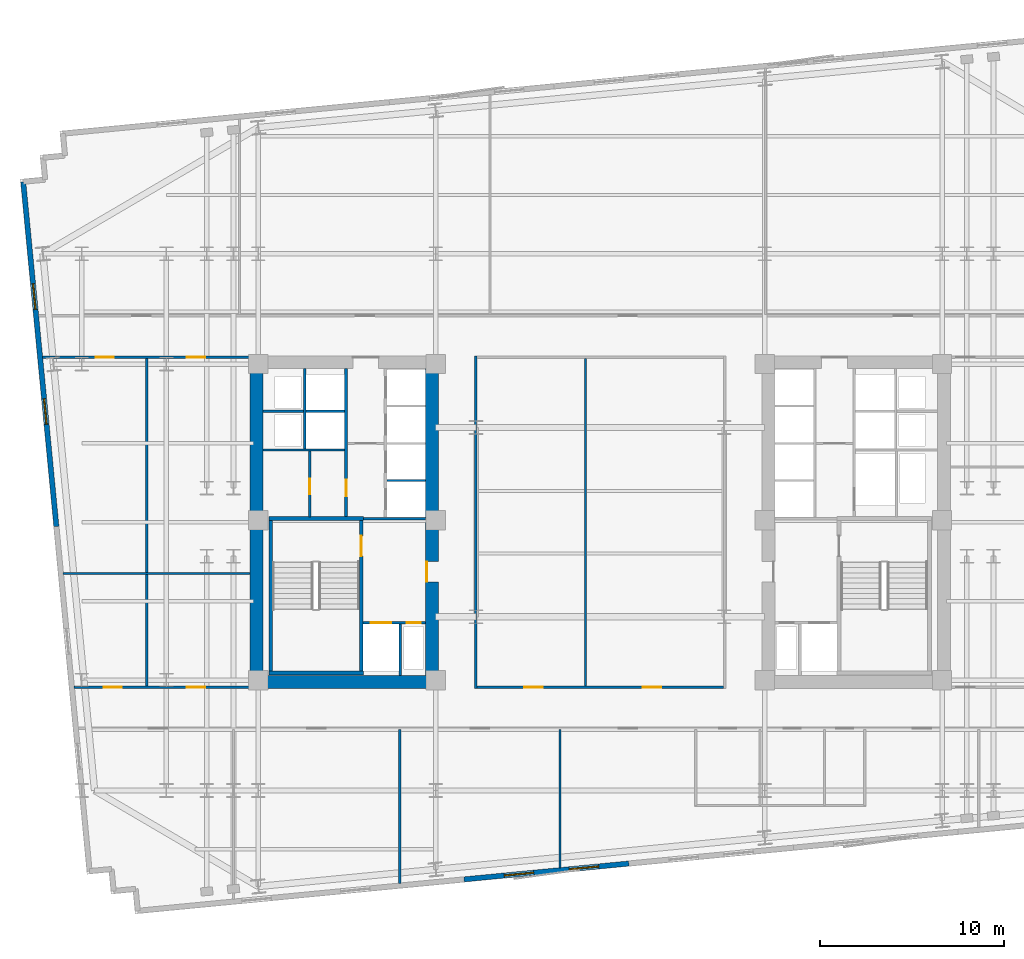
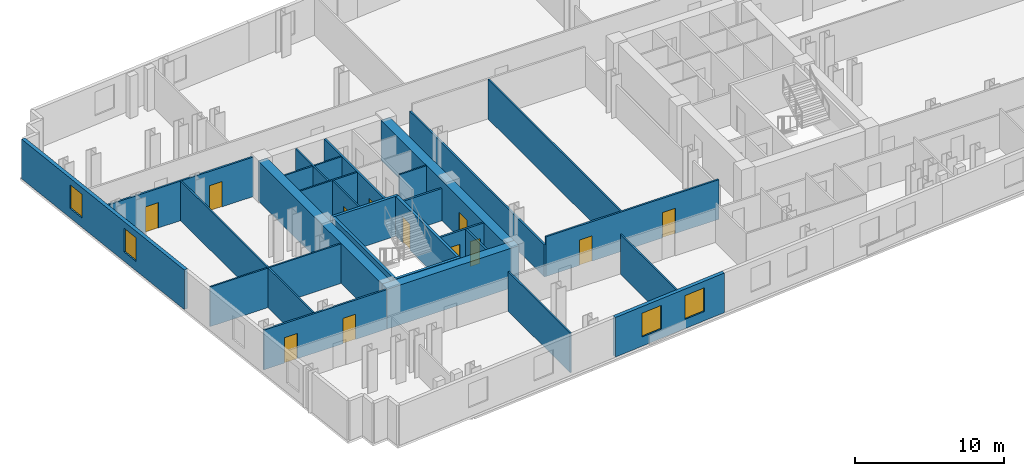
# One storey, part 4 of 10: 28 walls, 12 doors, 4 windows, 16 openings.
"""IFC4 building model written with IfcOpenShell, lengths in metres."""

from ifc_helpers import new_model, si_unit, direction, frame, frame_2d, origin, place, context, subcontext, project, spatial, rectangle, extrude, material, layer, layer_set, type_object, element, fill, save


model = new_model("IFC4")

# Units and contexts
model_context = context("Model", 3, precision=1e-05, world=origin(), true_north=direction((0.0, 1.0)))
body_context = subcontext(model_context, "Body", "Model", "MODEL_VIEW")
ifc_project = project(units=[si_unit("LENGTHUNIT", "METRE"), si_unit("AREAUNIT", "SQUARE_METRE"), si_unit("VOLUMEUNIT", "CUBIC_METRE"), si_unit("PLANEANGLEUNIT", "RADIAN"), si_unit("MASSUNIT", "GRAM", prefix="KILO")], contexts=[model_context])

# Site, building, storey
site_placement = place(None, origin())
site = spatial("IfcSite", under=ifc_project, at=site_placement, CompositionType="ELEMENT")
building_placement = place(site_placement, origin())
building = spatial("IfcBuilding", under=site, at=building_placement, Name="Velakula Bourse", CompositionType="ELEMENT")
storey_placement = place(building_placement, frame((0.0, 0.0, 84.550048828125)))
storey = spatial("IfcBuildingStorey", under=building, at=storey_placement, Name="L22", CompositionType="ELEMENT", Elevation=84.550048828125)

# Wall, opening, door
ifc_material_1 = material(Name="Concrete M50 (fck 50 MPa)", Category="concrete")
ifc_layer_1 = layer(ifc_material_1, 0.2099609375, Name="Concrete M50 (fck 50 MPa)", Category="concrete")
ifc_layer_set_1 = layer_set([ifc_layer_1], Name="Concrete M50 (fck 50 MPa)")
wall_type_1 = type_object("IfcWallType", Name="WL-CORE-210", PredefinedType="SHEAR", material=ifc_layer_set_1)
wall_1_placement = place(storey_placement, frame((-12.9951171875, -8.10009765625, 0.0), z_axis=(0.0, 0.0, 1.0), x_axis=(0.0, 1.0, 0.0)))
wall_1 = element("IfcWall", 1, at=wall_1_placement, inside=storey, type_object=wall_type_1, Name="L22 Core W Stairwell Shear Wall IN", PredefinedType="SHEAR", context=body_context, shape_type="SweptSolid", body=[
    extrude(rectangle(XDim=8.2001953125, YDim=0.2099609375, at=frame_2d((4.10009765625, 0.0))), origin(), (0.0, 0.0, 1.0), 3.27001953125),
])
opening_1_placement = place(wall_1_placement, frame((6.25, 0.0, 0.0)))
opening_1 = element("IfcOpeningElement", 2, at=opening_1_placement, cuts=wall_1, Name="Opening D-STW1", PredefinedType="OPENING", context=body_context, shape_type="SweptSolid", body=[
    extrude(rectangle(XDim=1.10009765625, YDim=2.14990234375, at=frame_2d((0.550048828125, 1.074951171875))), frame((0.0, 0.114990234375, 0.0), z_axis=(0.0, -1.0, 0.0), x_axis=(1.0, 0.0, 0.0)), (0.0, 0.0, 1.0), 0.22998046875),
])
ifc_material_2 = material(Name="Galvanised painted hollow steel fire door", Category="steel")
door_type_1 = type_object("IfcDoorType", Name="DR-FD120-1100x2150", OperationType="NOTDEFINED", PredefinedType="DOOR", material=ifc_material_2)
door_1_placement = place(opening_1_placement, origin())
door_1 = element("IfcDoor", 3, at=door_1_placement, inside=storey, type_object=door_type_1, Name="L22 Stair ST-W1 Fire Door", OperationType="SINGLE_SWING_LEFT", OverallHeight=2.14990234375, OverallWidth=1.10009765625, PredefinedType="DOOR", context=body_context, shape_type="SweptSolid", body=[
    extrude(rectangle(XDim=1.10009765625, YDim=2.14990234375, at=frame_2d((0.550048828125, 1.074951171875))), frame((0.0, 0.02490234375, 0.0), z_axis=(0.0, -1.0, 0.0), x_axis=(1.0, 0.0, 0.0)), (0.0, 0.0, 1.0), 0.050048828125),
])
fill(opening_1, door_1)

# Walls
wall_2_placement = place(storey_placement, frame((-17.925048828125, -8.10009765625, 0.0), z_axis=(0.0, 0.0, 1.0), x_axis=(0.0, 1.0, 0.0)))
element("IfcWall", 4, at=wall_2_placement, inside=storey, type_object=wall_type_1, Name="L22 Core W Stairwell Shear Wall OUT", PredefinedType="SHEAR", context=body_context, shape_type="SweptSolid", body=[
    extrude(rectangle(XDim=8.2001953125, YDim=0.2099609375, at=frame_2d((4.10009765625, 0.0))), origin(), (0.0, 0.0, 1.0), 3.27001953125),
])
for number, where, z_axis, x_axis, name in (
    (5, (-18.030029296875, -8.205078125, 0.0), (0.0, 0.0, 1.0), (1.0, 0.0, 0.0), "L22 Core W Stairwell Shear Wall S"),
    (6, (-12.889892578125, 0.205078125, 0.0), (0.0, 0.0, 1.0), (-1.0, 0.0, 0.0), "L22 Core W Stairwell Shear Wall N"),
):
    element("IfcWall", number, at=place(storey_placement, frame(where, z_axis=z_axis, x_axis=x_axis)), inside=storey, type_object=wall_type_1, Name=name, PredefinedType="SHEAR", context=body_context, shape_type="SweptSolid", body=[
        extrude(rectangle(XDim=5.14013671875, YDim=0.2099609375, at=frame_2d((2.570068359375, 0.0))), origin(), (0.0, 0.0, 1.0), 3.27001953125),
    ])
ifc_material_3 = material(Name="Concrete M70 (fck 70 MPa)", Category="concrete")
ifc_layer_2 = layer(ifc_material_3, 0.699951171875, Name="Concrete M70 (fck 70 MPa)", Category="concrete")
ifc_layer_set_2 = layer_set([ifc_layer_2], Name="Concrete M70 (fck 70 MPa)")
wall_type_2 = type_object("IfcWallType", Name="WL-CORE-700", PredefinedType="SHEAR", material=ifc_layer_set_2)
wall_3_placement = place(storey_placement, frame((-19.050048828125, -8.699951171875, 0.0), z_axis=(0.0, 0.0, 1.0), x_axis=(1.0, 0.0, 0.0)))
element("IfcWall", 7, at=wall_3_placement, inside=storey, type_object=wall_type_2, Name="L22 Core W Shear Wall S", PredefinedType="SHEAR", context=body_context, shape_type="SweptSolid", body=[
    extrude(rectangle(XDim=10.25, YDim=0.699951171875, at=frame_2d((5.125, 0.0))), origin(), (0.0, 0.0, 1.0), 3.27001953125),
])
wall_4_placement = place(storey_placement, frame((-18.699951171875, -8.35009765625, 0.0), z_axis=(0.0, 0.0, 1.0), x_axis=(0.0, 1.0, 0.0)))
element("IfcWall", 8, at=wall_4_placement, inside=storey, type_object=wall_type_2, Name="L22 Core W Shear Wall W", PredefinedType="SHEAR", context=body_context, shape_type="SweptSolid", body=[
    extrude(rectangle(XDim=16.7001953125, YDim=0.699951171875, at=frame_2d((8.35009765625, 0.0))), origin(), (0.0, 0.0, 1.0), 3.27001953125),
])

# Wall, opening, door
wall_5_placement = place(storey_placement, frame((-9.14990234375, -8.35009765625, 0.0), z_axis=(0.0, 0.0, 1.0), x_axis=(0.0, 1.0, 0.0)))
wall_5 = element("IfcWall", 9, at=wall_5_placement, inside=storey, type_object=wall_type_2, Name="L22 Core W Shear Wall E", PredefinedType="SHEAR", context=body_context, shape_type="SweptSolid", body=[
    extrude(rectangle(XDim=16.7001953125, YDim=0.699951171875, at=frame_2d((8.35009765625, 0.0))), origin(), (0.0, 0.0, 1.0), 3.27001953125),
])
opening_2_placement = place(wall_5_placement, frame((5.10009765625, 0.0, 0.0)))
opening_2 = element("IfcOpeningElement", 10, at=opening_2_placement, cuts=wall_5, Name="Opening D-FLW", PredefinedType="OPENING", context=body_context, shape_type="SweptSolid", body=[
    extrude(rectangle(XDim=1.10009765625, YDim=2.080078125, at=frame_2d((0.550048828125, 1.0400390625))), frame((0.0, 0.35986328125, 0.0), z_axis=(0.0, -1.0, 0.0), x_axis=(1.0, 0.0, 0.0)), (0.0, 0.0, 1.0), 0.719970703125),
])
door_type_2 = type_object("IfcDoorType", Name="DR-FD120-1100", OperationType="NOTDEFINED", PredefinedType="DOOR", material=ifc_material_2)
door_2_placement = place(opening_2_placement, origin())
door_2 = element("IfcDoor", 11, at=door_2_placement, inside=storey, type_object=door_type_2, Name="L22 Firefighting Lobby W Corridor Fire Door", OperationType="SINGLE_SWING_LEFT", OverallHeight=2.080078125, OverallWidth=1.10009765625, PredefinedType="DOOR", context=body_context, shape_type="SweptSolid", body=[
    extrude(rectangle(XDim=1.10009765625, YDim=2.080078125, at=frame_2d((0.550048828125, 1.0400390625))), frame((0.0, 0.30517578125, 0.0), z_axis=(0.0, -1.0, 0.0), x_axis=(1.0, 0.0, 0.0)), (0.0, 0.0, 1.0), 0.050048828125),
])
fill(opening_2, door_2)

# Wall, openings, windows
ifc_material_4 = material(Name="Red kilned clay facing brick masonry", Category="masonry")
ifc_layer_3 = layer(ifc_material_4, 0.280029296875, Name="Red kilned clay facing brick masonry", Category="masonry")
ifc_layer_set_3 = layer_set([ifc_layer_3], Name="Red kilned clay facing brick masonry")
wall_type_3 = type_object("IfcWallType", Name="WL-EXT-BRK-280", PredefinedType="STANDARD", material=ifc_layer_set_3)
wall_6_placement = place(storey_placement, frame((1.556396484375, -18.573486328125, 0.0), z_axis=(0.0, 0.0, 1.0), x_axis=(-0.995396794462, -0.09583956164, 0.0)))
wall_6 = element("IfcWall", 12, at=wall_6_placement, inside=storey, type_object=wall_type_3, Name="L22 S Brick Spandrel Wall B2", PredefinedType="STANDARD", context=body_context, shape_type="SweptSolid", body=[
    extrude(rectangle(XDim=9.0, YDim=0.280029296875, at=frame_2d((4.5, 0.0))), origin(), (0.0, 0.0, 1.0), 3.25),
])
opening_3_placement = place(wall_6_placement, frame((1.64990234375, 0.0, 0.760009765625)))
opening_3 = element("IfcOpeningElement", 13, at=opening_3_placement, cuts=wall_6, Name="Opening W-02", PredefinedType="OPENING", context=body_context, shape_type="SweptSolid", body=[
    extrude(rectangle(XDim=1.60009765625, YDim=1.949951171875, at=frame_2d((0.800048828125, 0.97509765625))), frame((0.0, 0.14990234375, 0.0), z_axis=(0.0, -1.0, 0.0), x_axis=(1.0, 0.0, 0.0)), (0.0, 0.0, 1.0), 0.300048828125),
])
opening_4_placement = place(wall_6_placement, frame((5.199951171875, 0.0, 0.760009765625)))
opening_4 = element("IfcOpeningElement", 14, at=opening_4_placement, cuts=wall_6, Name="Opening W-02", PredefinedType="OPENING", context=body_context, shape_type="SweptSolid", body=[
    extrude(rectangle(XDim=1.60009765625, YDim=1.949951171875, at=frame_2d((0.800048828125, 0.97509765625))), frame((0.0, 0.14990234375, 0.0), z_axis=(0.0, -1.0, 0.0), x_axis=(1.0, 0.0, 0.0)), (0.0, 0.0, 1.0), 0.300048828125),
])
ifc_material_5 = material(Name="Double-glazed solar-control Low-E glass", Category="glass")
window_type_1 = type_object("IfcWindowType", Name="WIN-TWR-1600x2100", PartitioningType="SINGLE_PANEL", PredefinedType="WINDOW", material=ifc_material_5)
window_1_placement = place(opening_3_placement, origin())
window_1 = element("IfcWindow", 15, at=window_1_placement, inside=storey, type_object=window_type_1, Name="L22 Deep-Set Recessed Window 1", OverallHeight=1.949951171875, OverallWidth=1.60009765625, PartitioningType="SINGLE_PANEL", PredefinedType="WINDOW", context=body_context, shape_type="SweptSolid", body=[
    extrude(rectangle(XDim=1.60009765625, YDim=1.949951171875, at=frame_2d((0.800048828125, 0.97509765625))), frame((0.0, 0.030029296875, 0.0), z_axis=(0.0, -1.0, 0.0), x_axis=(1.0, 0.0, 0.0)), (0.0, 0.0, 1.0), 0.06005859375),
])
fill(opening_3, window_1)
window_2_placement = place(opening_4_placement, origin())
window_2 = element("IfcWindow", 16, at=window_2_placement, inside=storey, type_object=window_type_1, Name="L22 Deep-Set Recessed Window 2", OverallHeight=1.949951171875, OverallWidth=1.60009765625, PartitioningType="SINGLE_PANEL", PredefinedType="WINDOW", context=body_context, shape_type="SweptSolid", body=[
    extrude(rectangle(XDim=1.60009765625, YDim=1.949951171875, at=frame_2d((0.800048828125, 0.97509765625))), frame((0.0, 0.030029296875, 0.0), z_axis=(0.0, -1.0, 0.0), x_axis=(1.0, 0.0, 0.0)), (0.0, 0.0, 1.0), 0.06005859375),
])
fill(opening_4, window_2)

wall_7_placement = place(storey_placement, frame((-29.584716796875, -0.23388671875, 0.0), z_axis=(0.0, 0.0, 1.0), x_axis=(-0.095841297881, 0.99539662729, 0.0)))
wall_7 = element("IfcWall", 17, at=wall_7_placement, inside=storey, type_object=wall_type_3, Name="L22 W Brick End Wall W2", PredefinedType="STANDARD", context=body_context, shape_type="SweptSolid", body=[
    extrude(rectangle(XDim=18.840087890625, YDim=0.280029296875, at=frame_2d((9.419921875, 0.0))), origin(), (0.0, 0.0, 1.0), 3.25),
])
opening_5_placement = place(wall_7_placement, frame((5.580078125, 0.0, 0.760009765625)))
opening_5 = element("IfcOpeningElement", 18, at=opening_5_placement, cuts=wall_7, Name="Opening W-03", PredefinedType="OPENING", context=body_context, shape_type="SweptSolid", body=[
    extrude(rectangle(XDim=1.39990234375, YDim=1.949951171875, at=frame_2d((0.699951171875, 0.97509765625))), frame((0.0, 0.14990234375, 0.0), z_axis=(0.0, -1.0, 0.0), x_axis=(1.0, 0.0, 0.0)), (0.0, 0.0, 1.0), 0.300048828125),
])
opening_6_placement = place(wall_7_placement, frame((11.860107421875, 0.0, 0.760009765625)))
opening_6 = element("IfcOpeningElement", 19, at=opening_6_placement, cuts=wall_7, Name="Opening W-03", PredefinedType="OPENING", context=body_context, shape_type="SweptSolid", body=[
    extrude(rectangle(XDim=1.39990234375, YDim=1.949951171875, at=frame_2d((0.699951171875, 0.97509765625))), frame((0.0, 0.14990234375, 0.0), z_axis=(0.0, -1.0, 0.0), x_axis=(1.0, 0.0, 0.0)), (0.0, 0.0, 1.0), 0.300048828125),
])
window_type_2 = type_object("IfcWindowType", Name="WIN-TWR-1400x2100", PartitioningType="SINGLE_PANEL", PredefinedType="WINDOW", material=ifc_material_5)
window_3_placement = place(opening_5_placement, origin())
window_3 = element("IfcWindow", 20, at=window_3_placement, inside=storey, type_object=window_type_2, Name="L22 Deep-Set Recessed Window 1", OverallHeight=1.949951171875, OverallWidth=1.39990234375, PartitioningType="SINGLE_PANEL", PredefinedType="WINDOW", context=body_context, shape_type="SweptSolid", body=[
    extrude(rectangle(XDim=1.39990234375, YDim=1.949951171875, at=frame_2d((0.699951171875, 0.97509765625))), frame((0.0, 0.030029296875, 0.0), z_axis=(0.0, -1.0, 0.0), x_axis=(1.0, 0.0, 0.0)), (0.0, 0.0, 1.0), 0.06005859375),
])
fill(opening_5, window_3)
window_4_placement = place(opening_6_placement, origin())
window_4 = element("IfcWindow", 21, at=window_4_placement, inside=storey, type_object=window_type_2, Name="L22 Deep-Set Recessed Window 2", OverallHeight=1.949951171875, OverallWidth=1.39990234375, PartitioningType="SINGLE_PANEL", PredefinedType="WINDOW", context=body_context, shape_type="SweptSolid", body=[
    extrude(rectangle(XDim=1.39990234375, YDim=1.949951171875, at=frame_2d((0.699951171875, 0.97509765625))), frame((0.0, 0.030029296875, 0.0), z_axis=(0.0, -1.0, 0.0), x_axis=(1.0, 0.0, 0.0)), (0.0, 0.0, 1.0), 0.06005859375),
])
fill(opening_6, window_4)

# Walls
ifc_material_6 = material(Name="Fire-rated double-layer gypsum drywall partition", Category="gypsum")
ifc_layer_4 = layer(ifc_material_6, 0.1201171875, Name="Fire-rated double-layer gypsum drywall partition", Category="gypsum")
ifc_layer_set_4 = layer_set([ifc_layer_4], Name="Fire-rated double-layer gypsum drywall partition")
wall_type_4 = type_object("IfcWallType", Name="WL-PART-120", PredefinedType="STANDARD", material=ifc_layer_set_4)
wall_8_placement = place(storey_placement, frame((-11.60009765625, 2.2548828125, 0.0), z_axis=(0.0, 0.0, 1.0), x_axis=(1.0, 0.0, 0.0)))
element("IfcWall", 22, at=wall_8_placement, inside=storey, type_object=wall_type_4, Name="L22 Interior Partition WL-CRW-L22-BDIV-0", PredefinedType="STANDARD", context=body_context, shape_type="SweptSolid", body=[
    extrude(rectangle(XDim=2.10009765625, YDim=0.110107421875, at=frame_2d((1.050048828125, 0.0))), origin(), (0.0, 0.0, 1.0), 3.25),
])
wall_9_placement = place(storey_placement, frame((-18.35009765625, 3.919921875, 0.0), z_axis=(0.0, 0.0, 1.0), x_axis=(1.0, 0.0, 0.0)))
element("IfcWall", 23, at=wall_9_placement, inside=storey, type_object=wall_type_4, Name="L22 Interior Partition WL-CRW-L22-HI-S", PredefinedType="STANDARD", context=body_context, shape_type="SweptSolid", body=[
    extrude(rectangle(XDim=4.4501953125, YDim=0.1201171875, at=frame_2d((2.22509765625, 0.0))), origin(), (0.0, 0.0, 1.0), 3.25),
])
wall_10_placement = place(storey_placement, frame((-18.35009765625, 6.030029296875, 0.0), z_axis=(0.0, 0.0, 1.0), x_axis=(1.0, 0.0, 0.0)))
element("IfcWall", 24, at=wall_10_placement, inside=storey, type_object=wall_type_4, Name="L22 Interior Partition WL-CRW-L22-RIS-MID", PredefinedType="STANDARD", context=body_context, shape_type="SweptSolid", body=[
    extrude(rectangle(XDim=2.2001953125, YDim=0.1201171875, at=frame_2d((1.10009765625, 0.0))), origin(), (0.0, 0.0, 1.0), 3.25),
])
wall_11_placement = place(storey_placement, frame((-16.074951171875, 3.97998046875, 0.0), z_axis=(0.0, 0.0, 1.0), x_axis=(0.0, 1.0, 0.0)))
element("IfcWall", 25, at=wall_11_placement, inside=storey, type_object=wall_type_4, Name="L22 Interior Partition WL-CRW-L22-RIS-F", PredefinedType="STANDARD", context=body_context, shape_type="SweptSolid", body=[
    extrude(rectangle(XDim=4.3701171875, YDim=0.1201171875, at=frame_2d((2.18505859375, 0.0))), origin(), (0.0, 0.0, 1.0), 3.25),
])
wall_12_placement = place(storey_placement, frame((-16.0, 6.030029296875, 0.0), z_axis=(0.0, 0.0, 1.0), x_axis=(1.0, 0.0, 0.0)))
element("IfcWall", 26, at=wall_12_placement, inside=storey, type_object=wall_type_4, Name="L22 Interior Partition WL-CRW-L22-HI-DIV", PredefinedType="STANDARD", context=body_context, shape_type="SweptSolid", body=[
    extrude(rectangle(XDim=2.10009765625, YDim=0.1201171875, at=frame_2d((1.050048828125, 0.0))), origin(), (0.0, 0.0, 1.0), 3.25),
])

# Wall, opening, door
wall_13_placement = place(storey_placement, frame((-15.800048828125, 0.27001953125, 0.0), z_axis=(0.0, 0.0, 1.0), x_axis=(0.0, 1.0, 0.0)))
wall_13 = element("IfcWall", 27, at=wall_13_placement, inside=storey, type_object=wall_type_4, Name="L22 Interior Partition WL-CRW-L22-K2", PredefinedType="STANDARD", context=body_context, shape_type="SweptSolid", body=[
    extrude(rectangle(XDim=3.590087890625, YDim=0.1201171875, at=frame_2d((1.794921875, 0.0))), origin(), (0.0, 0.0, 1.0), 3.25),
])
opening_7_placement = place(wall_13_placement, frame((1.25, 0.0, 0.0)))
opening_7 = element("IfcOpeningElement", 28, at=opening_7_placement, cuts=wall_13, Name="Opening D-CE1", PredefinedType="OPENING", context=body_context, shape_type="SweptSolid", body=[
    extrude(rectangle(XDim=0.85009765625, YDim=2.050048828125, at=frame_2d((0.425048828125, 1.02490234375))), frame((0.0, 0.070068359375, 0.0), z_axis=(0.0, -1.0, 0.0), x_axis=(1.0, 0.0, 0.0)), (0.0, 0.0, 1.0), 0.14013671875),
])
ifc_material_7 = material(Name="Fire-rated hardwood flush architectural door", Category="wood")
door_type_3 = type_object("IfcDoorType", Name="DR-INT-850", OperationType="NOTDEFINED", PredefinedType="DOOR", material=ifc_material_7)
door_3_placement = place(opening_7_placement, origin())
door_3 = element("IfcDoor", 29, at=door_3_placement, inside=storey, type_object=door_type_3, Name="L22 Core Equipment Store Door", OperationType="SINGLE_SWING_RIGHT", OverallHeight=2.050048828125, OverallWidth=0.85009765625, PredefinedType="DOOR", context=body_context, shape_type="SweptSolid", body=[
    extrude(rectangle(XDim=0.85009765625, YDim=2.050048828125, at=frame_2d((0.425048828125, 1.02490234375))), frame((0.0, 0.02490234375, 0.0), z_axis=(0.0, -1.0, 0.0), x_axis=(1.0, 0.0, 0.0)), (0.0, 0.0, 1.0), 0.050048828125),
])
fill(opening_7, door_3)

# Walls
wall_14_placement = place(storey_placement, frame((-10.89892578125, -19.65234375, 0.0), z_axis=(0.0, 0.0, 1.0), x_axis=(0.0, 1.0, 0.0)))
element("IfcWall", 30, at=wall_14_placement, inside=storey, type_object=wall_type_4, Name="L22 Interior Partition WL-INT-L22-SL-D6", PredefinedType="STANDARD", context=body_context, shape_type="SweptSolid", body=[
    extrude(rectangle(XDim=8.3623046875, YDim=0.1201171875, at=frame_2d((4.18115234375, 0.0))), origin(), (0.0, 0.0, 1.0), 3.25),
])
wall_15_placement = place(storey_placement, frame((-2.178955078125, -18.812744140625, 0.0), z_axis=(0.0, 0.0, 1.0), x_axis=(0.0, 1.0, 0.0)))
element("IfcWall", 31, at=wall_15_placement, inside=storey, type_object=wall_type_4, Name="L22 Interior Partition WL-INT-L22-SL-D7", PredefinedType="STANDARD", context=body_context, shape_type="SweptSolid", body=[
    extrude(rectangle(XDim=7.522705078125, YDim=0.1201171875, at=frame_2d((3.76123046875, 0.0))), origin(), (0.0, 0.0, 1.0), 3.25),
])
wall_16_placement = place(storey_placement, frame((-29.217041015625, -2.800048828125, 0.0), z_axis=(0.0, 0.0, 1.0), x_axis=(1.0, 0.0, 0.0)))
element("IfcWall", 32, at=wall_16_placement, inside=storey, type_object=wall_type_4, Name="L22 Interior Partition WL-INT-L22-W-H", PredefinedType="STANDARD", context=body_context, shape_type="SweptSolid", body=[
    extrude(rectangle(XDim=10.1669921875, YDim=0.1201171875, at=frame_2d((5.08349609375, 0.0))), origin(), (0.0, 0.0, 1.0), 3.25),
])
wall_17_placement = place(storey_placement, frame((-24.6708984375, -8.97998046875, 0.0), z_axis=(0.0, 0.0, 1.0), x_axis=(0.0, 1.0, 0.0)))
element("IfcWall", 33, at=wall_17_placement, inside=storey, type_object=wall_type_4, Name="L22 Interior Partition WL-INT-L22-W-V1", PredefinedType="STANDARD", context=body_context, shape_type="SweptSolid", body=[
    extrude(rectangle(XDim=17.9599609375, YDim=0.1201171875, at=frame_2d((8.97998046875, 0.0))), origin(), (0.0, 0.0, 1.0), 3.25),
])

# Wall, openings, doors
ifc_layer_5 = layer(ifc_material_6, 0.139892578125, Name="Fire-rated double-layer gypsum drywall partition", Category="gypsum")
ifc_layer_set_5 = layer_set([ifc_layer_5], Name="Fire-rated double-layer gypsum drywall partition")
wall_type_5 = type_object("IfcWallType", Name="WL-PART-140", PredefinedType="STANDARD", material=ifc_layer_set_5)
wall_18_placement = place(storey_placement, frame((-30.351318359375, 8.97998046875, 0.0), z_axis=(0.0, 0.0, 1.0), x_axis=(1.0, 0.0, 0.0)))
wall_18 = element("IfcWall", 34, at=wall_18_placement, inside=storey, type_object=wall_type_5, Name="L22 Interior Partition WL-INT-L22-W-NC", PredefinedType="STANDARD", context=body_context, shape_type="SweptSolid", body=[
    extrude(rectangle(XDim=11.30126953125, YDim=0.139892578125, at=frame_2d((5.650634765625, 0.0))), origin(), (0.0, 0.0, 1.0), 3.25),
])
opening_8_placement = place(wall_18_placement, frame((2.900146484375, 0.0, 0.0)))
opening_8 = element("IfcOpeningElement", 35, at=opening_8_placement, cuts=wall_18, Name="Opening D-OF1", PredefinedType="OPENING", context=body_context, shape_type="SweptSolid", body=[
    extrude(rectangle(XDim=1.0, YDim=2.080078125, at=frame_2d((0.5, 1.0400390625))), frame((0.0, 0.079833984375, 0.0), z_axis=(0.0, -1.0, 0.0), x_axis=(1.0, 0.0, 0.0)), (0.0, 0.0, 1.0), 0.159912109375),
])
opening_9_placement = place(wall_18_placement, frame((7.86083984375, 0.0, 0.0)))
opening_9 = element("IfcOpeningElement", 36, at=opening_9_placement, cuts=wall_18, Name="Opening D-OF1", PredefinedType="OPENING", context=body_context, shape_type="SweptSolid", body=[
    extrude(rectangle(XDim=1.0, YDim=2.080078125, at=frame_2d((0.5, 1.0400390625))), frame((0.0, 0.079833984375, 0.0), z_axis=(0.0, -1.0, 0.0), x_axis=(1.0, 0.0, 0.0)), (0.0, 0.0, 1.0), 0.159912109375),
])
door_type_4 = type_object("IfcDoorType", Name="DR-OFF-1000", OperationType="NOTDEFINED", PredefinedType="DOOR", material=ifc_material_7)
door_4_placement = place(opening_8_placement, origin())
door_4 = element("IfcDoor", 37, at=door_4_placement, inside=storey, type_object=door_type_4, Name="L22 Primary Dealer Office Door", OperationType="SINGLE_SWING_LEFT", OverallHeight=2.080078125, OverallWidth=1.0, PredefinedType="DOOR", context=body_context, shape_type="SweptSolid", body=[
    extrude(rectangle(XDim=1.0, YDim=2.080078125, at=frame_2d((0.5, 1.0400390625))), frame((0.0, 0.02490234375, 0.0), z_axis=(0.0, -1.0, 0.0), x_axis=(1.0, 0.0, 0.0)), (0.0, 0.0, 1.0), 0.050048828125),
])
fill(opening_8, door_4)
door_5_placement = place(opening_9_placement, origin())
door_5 = element("IfcDoor", 38, at=door_5_placement, inside=storey, type_object=door_type_4, Name="L22 Arbitration Conference Room Door", OperationType="SINGLE_SWING_RIGHT", OverallHeight=2.080078125, OverallWidth=1.0, PredefinedType="DOOR", context=body_context, shape_type="SweptSolid", body=[
    extrude(rectangle(XDim=1.0, YDim=2.080078125, at=frame_2d((0.5, 1.0400390625))), frame((0.0, 0.02490234375, 0.0), z_axis=(0.0, -1.0, 0.0), x_axis=(1.0, 0.0, 0.0)), (0.0, 0.0, 1.0), 0.050048828125),
])
fill(opening_9, door_5)

wall_19_placement = place(storey_placement, frame((-28.6220703125, -8.97998046875, 0.0), z_axis=(0.0, 0.0, 1.0), x_axis=(1.0, 0.0, 0.0)))
wall_19 = element("IfcWall", 39, at=wall_19_placement, inside=storey, type_object=wall_type_5, Name="L22 Interior Partition WL-INT-L22-W-SC", PredefinedType="STANDARD", context=body_context, shape_type="SweptSolid", body=[
    extrude(rectangle(XDim=9.572021484375, YDim=0.139892578125, at=frame_2d((4.7861328125, 0.0))), origin(), (0.0, 0.0, 1.0), 3.25),
])
opening_10_placement = place(wall_19_placement, frame((1.60546875, 0.0, 0.0)))
opening_10 = element("IfcOpeningElement", 40, at=opening_10_placement, cuts=wall_19, Name="Opening D-OF1", PredefinedType="OPENING", context=body_context, shape_type="SweptSolid", body=[
    extrude(rectangle(XDim=1.0, YDim=2.080078125, at=frame_2d((0.5, 1.0400390625))), frame((0.0, 0.079833984375, 0.0), z_axis=(0.0, -1.0, 0.0), x_axis=(1.0, 0.0, 0.0)), (0.0, 0.0, 1.0), 0.159912109375),
])
opening_11_placement = place(wall_19_placement, frame((6.131591796875, 0.0, 0.0)))
opening_11 = element("IfcOpeningElement", 41, at=opening_11_placement, cuts=wall_19, Name="Opening D-OF1", PredefinedType="OPENING", context=body_context, shape_type="SweptSolid", body=[
    extrude(rectangle(XDim=1.0, YDim=2.080078125, at=frame_2d((0.5, 1.0400390625))), frame((0.0, 0.079833984375, 0.0), z_axis=(0.0, -1.0, 0.0), x_axis=(1.0, 0.0, 0.0)), (0.0, 0.0, 1.0), 0.159912109375),
])
door_6_placement = place(opening_10_placement, origin())
door_6 = element("IfcDoor", 42, at=door_6_placement, inside=storey, type_object=door_type_4, Name="L22 Primary Dealer Office Door", OperationType="SINGLE_SWING_LEFT", OverallHeight=2.080078125, OverallWidth=1.0, PredefinedType="DOOR", context=body_context, shape_type="SweptSolid", body=[
    extrude(rectangle(XDim=1.0, YDim=2.080078125, at=frame_2d((0.5, 1.0400390625))), frame((0.0, 0.02490234375, 0.0), z_axis=(0.0, -1.0, 0.0), x_axis=(1.0, 0.0, 0.0)), (0.0, 0.0, 1.0), 0.050048828125),
])
fill(opening_10, door_6)
door_7_placement = place(opening_11_placement, origin())
door_7 = element("IfcDoor", 43, at=door_7_placement, inside=storey, type_object=door_type_4, Name="L22 Arbitration Conference Room Door", OperationType="SINGLE_SWING_RIGHT", OverallHeight=2.080078125, OverallWidth=1.0, PredefinedType="DOOR", context=body_context, shape_type="SweptSolid", body=[
    extrude(rectangle(XDim=1.0, YDim=2.080078125, at=frame_2d((0.5, 1.0400390625))), frame((0.0, 0.02490234375, 0.0), z_axis=(0.0, -1.0, 0.0), x_axis=(1.0, 0.0, 0.0)), (0.0, 0.0, 1.0), 0.050048828125),
])
fill(opening_11, door_7)

# Wall
wall_20_placement = place(storey_placement, frame((-6.780029296875, -9.050048828125, 0.0), z_axis=(0.0, 0.0, 1.0), x_axis=(0.0, 1.0, 0.0)))
element("IfcWall", 44, at=wall_20_placement, inside=storey, type_object=wall_type_5, Name="L22 Interior Partition WL-INT-L22-MID-W", PredefinedType="STANDARD", context=body_context, shape_type="SweptSolid", body=[
    extrude(rectangle(XDim=18.10009765625, YDim=0.139892578125, at=frame_2d((9.050048828125, 0.0))), origin(), (0.0, 0.0, 1.0), 2.64501953125),
])

# Wall, openings, doors
wall_21_placement = place(storey_placement, frame((-6.7099609375, -8.97998046875, 0.0), z_axis=(0.0, 0.0, 1.0), x_axis=(1.0, 0.0, 0.0)))
wall_21 = element("IfcWall", 45, at=wall_21_placement, inside=storey, type_object=wall_type_5, Name="L22 Interior Partition WL-INT-L22-MID-S", PredefinedType="STANDARD", context=body_context, shape_type="SweptSolid", body=[
    extrude(rectangle(XDim=13.419921875, YDim=0.139892578125, at=frame_2d((6.7099609375, 0.0))), origin(), (0.0, 0.0, 1.0), 3.25),
])
opening_12_placement = place(wall_21_placement, frame((2.5810546875, 0.0, 0.0)))
opening_12 = element("IfcOpeningElement", 46, at=opening_12_placement, cuts=wall_21, Name="Opening D-OF1", PredefinedType="OPENING", context=body_context, shape_type="SweptSolid", body=[
    extrude(rectangle(XDim=1.0, YDim=2.080078125, at=frame_2d((0.5, 1.0400390625))), frame((0.0, 0.079833984375, 0.0), z_axis=(0.0, -1.0, 0.0), x_axis=(1.0, 0.0, 0.0)), (0.0, 0.0, 1.0), 0.159912109375),
])
opening_13_placement = place(wall_21_placement, frame((9.0390625, 0.0, 0.0)))
opening_13 = element("IfcOpeningElement", 47, at=opening_13_placement, cuts=wall_21, Name="Opening D-OF1", PredefinedType="OPENING", context=body_context, shape_type="SweptSolid", body=[
    extrude(rectangle(XDim=1.0, YDim=2.080078125, at=frame_2d((0.5, 1.0400390625))), frame((0.0, 0.079833984375, 0.0), z_axis=(0.0, -1.0, 0.0), x_axis=(1.0, 0.0, 0.0)), (0.0, 0.0, 1.0), 0.159912109375),
])
door_8_placement = place(opening_12_placement, origin())
door_8 = element("IfcDoor", 48, at=door_8_placement, inside=storey, type_object=door_type_4, Name="L22 Central Clearing Workspace West Door", OperationType="SINGLE_SWING_LEFT", OverallHeight=2.080078125, OverallWidth=1.0, PredefinedType="DOOR", context=body_context, shape_type="SweptSolid", body=[
    extrude(rectangle(XDim=1.0, YDim=2.080078125, at=frame_2d((0.5, 1.0400390625))), frame((0.0, 0.02490234375, 0.0), z_axis=(0.0, -1.0, 0.0), x_axis=(1.0, 0.0, 0.0)), (0.0, 0.0, 1.0), 0.050048828125),
])
fill(opening_12, door_8)
door_9_placement = place(opening_13_placement, origin())
door_9 = element("IfcDoor", 49, at=door_9_placement, inside=storey, type_object=door_type_4, Name="L22 Central Arbitration Room East Door", OperationType="SINGLE_SWING_RIGHT", OverallHeight=2.080078125, OverallWidth=1.0, PredefinedType="DOOR", context=body_context, shape_type="SweptSolid", body=[
    extrude(rectangle(XDim=1.0, YDim=2.080078125, at=frame_2d((0.5, 1.0400390625))), frame((0.0, 0.02490234375, 0.0), z_axis=(0.0, -1.0, 0.0), x_axis=(1.0, 0.0, 0.0)), (0.0, 0.0, 1.0), 0.050048828125),
])
fill(opening_13, door_9)

# Wall
wall_22_placement = place(storey_placement, frame((-0.800048828125, -8.909912109375, 0.0), z_axis=(0.0, 0.0, 1.0), x_axis=(0.0, 1.0, 0.0)))
element("IfcWall", 50, at=wall_22_placement, inside=storey, type_object=wall_type_5, Name="L22 Interior Partition WL-INT-L22-MDX", PredefinedType="STANDARD", context=body_context, shape_type="SweptSolid", body=[
    extrude(rectangle(XDim=17.81982421875, YDim=0.1201171875, at=frame_2d((8.909912109375, 0.0))), origin(), (0.0, 0.0, 1.0), 3.25),
])

# Wall, openings, doors
ifc_material_8 = material(Name="Autoclaved aerated concrete blockwork masonry", Category="masonry")
ifc_layer_6 = layer(ifc_material_8, 0.14990234375, Name="Autoclaved aerated concrete blockwork masonry", Category="masonry")
ifc_layer_set_6 = layer_set([ifc_layer_6], Name="Autoclaved aerated concrete blockwork masonry")
wall_type_6 = type_object("IfcWallType", Name="WL-SHAFT-150", PredefinedType="STANDARD", material=ifc_layer_set_6)
wall_23_placement = place(storey_placement, frame((-12.89501953125, -5.47509765625, 0.0), z_axis=(0.0, 0.0, 1.0), x_axis=(1.0, 0.0, 0.0)))
wall_23 = element("IfcWall", 51, at=wall_23_placement, inside=storey, type_object=wall_type_6, Name="L22 Interior Partition WL-CRW-L22-FFL-N", PredefinedType="STANDARD", context=body_context, shape_type="SweptSolid", body=[
    extrude(rectangle(XDim=3.39501953125, YDim=0.14990234375, at=frame_2d((1.697509765625, 0.0))), origin(), (0.0, 0.0, 1.0), 3.25),
])
opening_14_placement = place(wall_23_placement, frame((0.419921875, 0.0, 0.0)))
opening_14 = element("IfcOpeningElement", 52, at=opening_14_placement, cuts=wall_23, Name="Opening LD-FFL-1", PredefinedType="OPENING", context=body_context, shape_type="SweptSolid", body=[
    extrude(rectangle(XDim=1.10009765625, YDim=2.14990234375, at=frame_2d((0.550048828125, 1.074951171875))), frame((0.0, 0.0849609375, 0.0), z_axis=(0.0, -1.0, 0.0), x_axis=(1.0, 0.0, 0.0)), (0.0, 0.0, 1.0), 0.169921875),
])
opening_15_placement = place(wall_23_placement, frame((2.3701171875, 0.0, 0.0)))
opening_15 = element("IfcOpeningElement", 53, at=opening_15_placement, cuts=wall_23, Name="Opening D-RS1", PredefinedType="OPENING", context=body_context, shape_type="SweptSolid", body=[
    extrude(rectangle(XDim=0.75, YDim=2.050048828125, at=frame_2d((0.375, 1.02490234375))), frame((0.0, 0.0849609375, 0.0), z_axis=(0.0, -1.0, 0.0), x_axis=(1.0, 0.0, 0.0)), (0.0, 0.0, 1.0), 0.169921875),
])
door_type_5 = type_object("IfcDoorType", Name="DR-RISER-800", OperationType="NOTDEFINED", PredefinedType="DOOR", material=ifc_material_2)
door_10_placement = place(opening_15_placement, origin())
door_10 = element("IfcDoor", 54, at=door_10_placement, inside=storey, type_object=door_type_5, Name="L22 Fire Riser Access Door", OperationType="SINGLE_SWING_LEFT", OverallHeight=2.050048828125, OverallWidth=0.75, PredefinedType="DOOR", context=body_context, shape_type="SweptSolid", body=[
    extrude(rectangle(XDim=0.75, YDim=2.050048828125, at=frame_2d((0.375, 1.02490234375))), frame((0.0, 0.02490234375, 0.0), z_axis=(0.0, -1.0, 0.0), x_axis=(1.0, 0.0, 0.0)), (0.0, 0.0, 1.0), 0.050048828125),
])
fill(opening_15, door_10)
ifc_material_9 = material(Name="Brushed grade 316 stainless steel", Category="steel")
door_type_6 = type_object("IfcDoorType", Name="DR-SLIDE-FFL-1100", OperationType="DOUBLE_DOOR_SLIDING", PredefinedType="DOOR", material=ifc_material_9)
door_11_placement = place(opening_14_placement, origin())
door_11 = element("IfcDoor", 55, at=door_11_placement, inside=storey, type_object=door_type_6, Name="L22 Firefighting Lift FFL-1 Sliding Landing Door", OperationType="DOUBLE_DOOR_SLIDING", OverallHeight=2.14990234375, OverallWidth=1.10009765625, PredefinedType="DOOR", context=body_context, shape_type="SweptSolid", body=[
    extrude(rectangle(XDim=1.10009765625, YDim=2.14990234375, at=frame_2d((0.550048828125, 1.074951171875))), frame((0.0, 0.02490234375, 0.0), z_axis=(0.0, -1.0, 0.0), x_axis=(1.0, 0.0, 0.0)), (0.0, 0.0, 1.0), 0.050048828125),
])
fill(opening_14, door_11)

# Walls
wall_24_placement = place(storey_placement, frame((-10.875, -8.35009765625, 0.0), z_axis=(0.0, 0.0, 1.0), x_axis=(0.0, 1.0, 0.0)))
element("IfcWall", 56, at=wall_24_placement, inside=storey, type_object=wall_type_6, Name="L22 Interior Partition WL-CRW-L22-FR-DIV", PredefinedType="STANDARD", context=body_context, shape_type="SweptSolid", body=[
    extrude(rectangle(XDim=2.800048828125, YDim=0.14990234375, at=frame_2d((1.39990234375, 0.0))), origin(), (0.0, 0.0, 1.0), 3.25),
])
wall_25_placement = place(storey_placement, frame((-12.889892578125, 0.18994140625, 0.0), z_axis=(0.0, 0.0, 1.0), x_axis=(1.0, 0.0, 0.0)))
element("IfcWall", 57, at=wall_25_placement, inside=storey, type_object=wall_type_6, Name="L22 Interior Partition WL-CRW-L22-FF-TOP", PredefinedType="STANDARD", context=body_context, shape_type="SweptSolid", body=[
    extrude(rectangle(XDim=3.389892578125, YDim=0.14990234375, at=frame_2d((1.69482421875, 0.0))), origin(), (0.0, 0.0, 1.0), 2.64501953125),
])

# Wall, opening, door
wall_26_placement = place(storey_placement, frame((-13.824951171875, 0.27001953125, 0.0), z_axis=(0.0, 0.0, 1.0), x_axis=(0.0, 1.0, 0.0)))
wall_26 = element("IfcWall", 58, at=wall_26_placement, inside=storey, type_object=wall_type_6, Name="L22 Interior Partition WL-CRW-L22-OUT-F", PredefinedType="STANDARD", context=body_context, shape_type="SweptSolid", body=[
    extrude(rectangle(XDim=8.080078125, YDim=0.14990234375, at=frame_2d((4.0400390625, 0.0))), origin(), (0.0, 0.0, 1.0), 3.25),
])
opening_16_placement = place(wall_26_placement, frame((1.14990234375, 0.0, 0.0)))
opening_16 = element("IfcOpeningElement", 59, at=opening_16_placement, cuts=wall_26, Name="Opening D-CP1", PredefinedType="OPENING", context=body_context, shape_type="SweptSolid", body=[
    extrude(rectangle(XDim=0.89990234375, YDim=2.050048828125, at=frame_2d((0.449951171875, 1.02490234375))), frame((0.0, 0.0849609375, 0.0), z_axis=(0.0, -1.0, 0.0), x_axis=(1.0, 0.0, 0.0)), (0.0, 0.0, 1.0), 0.169921875),
])
door_type_7 = type_object("IfcDoorType", Name="DR-INT-900", OperationType="NOTDEFINED", PredefinedType="DOOR", material=ifc_material_7)
door_12_placement = place(opening_16_placement, origin())
door_12 = element("IfcDoor", 60, at=door_12_placement, inside=storey, type_object=door_type_7, Name="L22 Core Tea Pantry Door", OperationType="SINGLE_SWING_RIGHT", OverallHeight=2.050048828125, OverallWidth=0.89990234375, PredefinedType="DOOR", context=body_context, shape_type="SweptSolid", body=[
    extrude(rectangle(XDim=0.89990234375, YDim=2.050048828125, at=frame_2d((0.449951171875, 1.02490234375))), frame((0.0, 0.02490234375, 0.0), z_axis=(0.0, -1.0, 0.0), x_axis=(1.0, 0.0, 0.0)), (0.0, 0.0, 1.0), 0.050048828125),
])
fill(opening_16, door_12)

save(model, "model.ifc")
